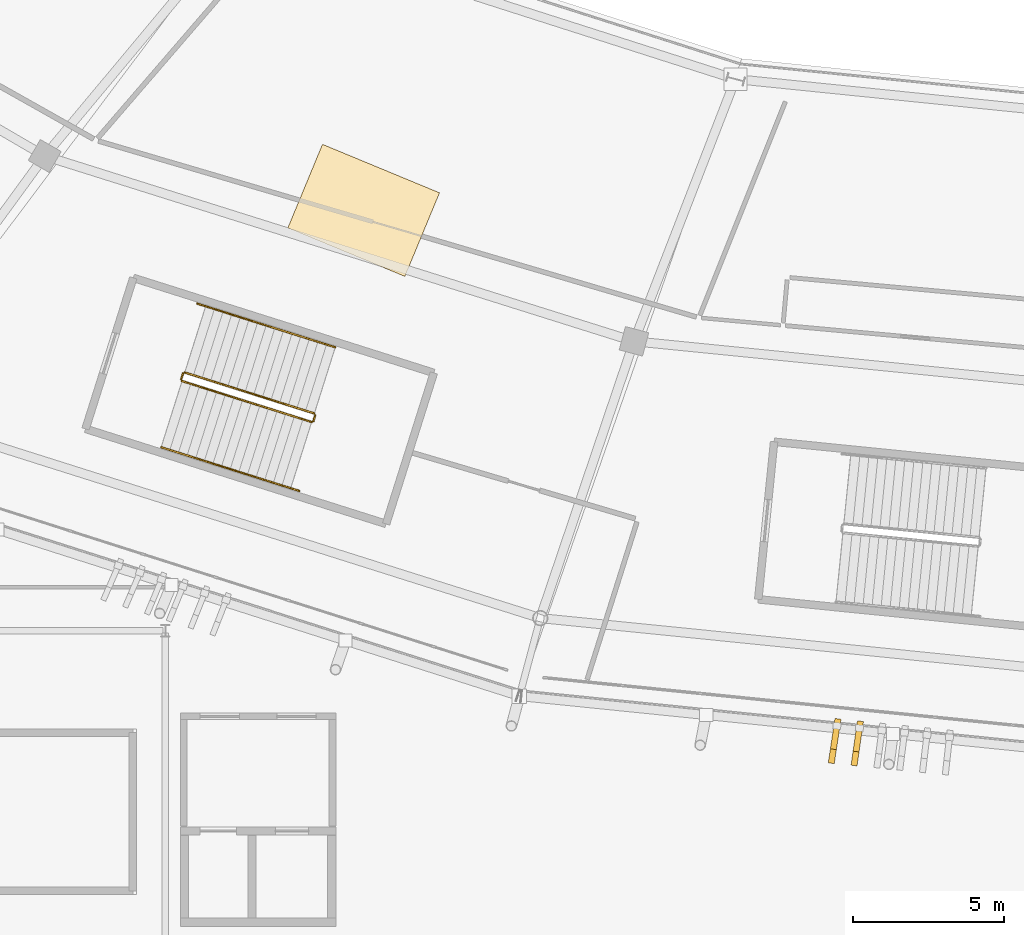
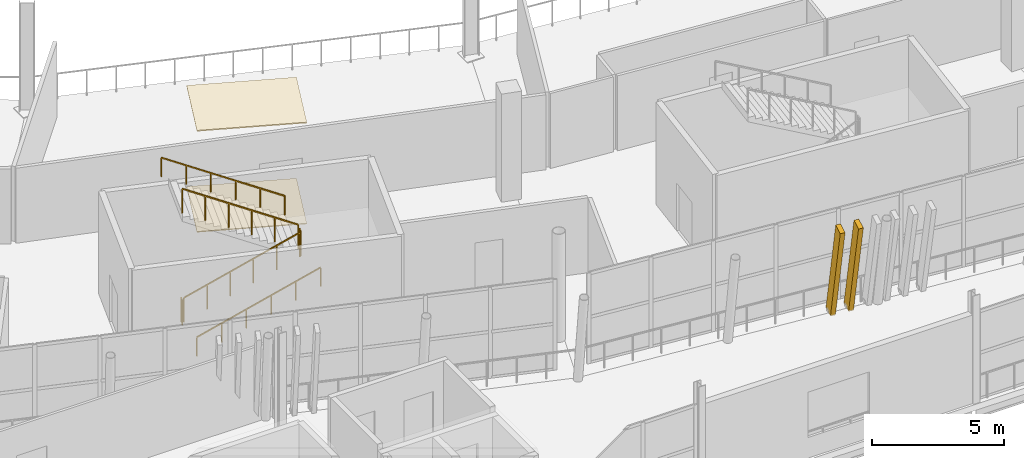
# One storey, part 149 of 179: 6 railings, 2 coverings, 2 shading devices.
"""IFC4 building model written with IfcOpenShell, lengths in metres."""

from ifc_helpers import new_model, si_unit, direction, frame, origin, origin_2d, place, context, subcontext, project, spatial, polyline, rectangle, outline, extrude, material, layer, layer_set, material_profile, profile_set, type_object, element, save


model = new_model("IFC4")

# Units and contexts
model_context = context("Model", 3, precision=1e-05, world=origin(), true_north=direction((0.0, 1.0)))
body_context = subcontext(model_context, "Body", "Model", "MODEL_VIEW")
ifc_project = project(units=[si_unit("LENGTHUNIT", "METRE"), si_unit("AREAUNIT", "SQUARE_METRE"), si_unit("VOLUMEUNIT", "CUBIC_METRE"), si_unit("PLANEANGLEUNIT", "RADIAN"), si_unit("MASSUNIT", "GRAM", prefix="KILO")], contexts=[model_context])

# Site, building, storey
site_placement = place(None, origin())
site = spatial("IfcSite", under=ifc_project, at=site_placement, CompositionType="ELEMENT")
building_placement = place(site_placement, origin())
building = spatial("IfcBuilding", under=site, at=building_placement, Name="Zlatoyarsky Gate Stadium", CompositionType="ELEMENT")
storey_placement = place(building_placement, frame((0.0, 0.0, 10.60009765625)))
storey = spatial("IfcBuildingStorey", under=building, at=storey_placement, Name="L02", CompositionType="ELEMENT", Elevation=10.60009765625)

# Railings
ifc_material_1 = material(Name="Powder-coated steel stair guardrail", Category="steel")
railing_type_1 = type_object("IfcRailingType", Name="PAINTED STEEL STAIR WELL GUARDRAIL 1150", PredefinedType="GUARDRAIL", material=ifc_material_1)
railing_1_placement = place(storey_placement, frame((75.05517578125, 19.2763671875, 0.15625)))
element("IfcRailing", 1, at=railing_1_placement, inside=storey, type_object=railing_type_1, Name="ST-09 L02 stair guard 1", PredefinedType="GUARDRAIL", context=body_context, shape_type="SweptSolid", body=[
    extrude(rectangle(XDim=0.048095703125, YDim=0.048095703125, at=origin_2d()), frame((0.0, 0.0, 1.1259765625), z_axis=(0.845641323457, -0.267396656109, 0.461941317013), x_axis=(0.301492268635, 0.953468621378, 0.0)), (0.0, 0.0, 1.0), 5.07373046875),
    extrude(rectangle(XDim=0.0419921875, YDim=0.0419921875, at=origin_2d()), origin(), (0.0, 0.0, 1.0), 1.101806640625),
    extrude(rectangle(XDim=0.0419921875, YDim=0.0419921875, at=origin_2d()), frame((0.858154296875, -0.271240234375, 0.46875)), (0.0, 0.0, 1.0), 1.101806640625),
    extrude(rectangle(XDim=0.0419921875, YDim=0.0419921875, at=origin_2d()), frame((1.71630859375, -0.542724609375, 0.9375)), (0.0, 0.0, 1.0), 1.101806640625),
    extrude(rectangle(XDim=0.0419921875, YDim=0.0419921875, at=origin_2d()), frame((2.57421875, -0.81396484375, 1.40625)), (0.0, 0.0, 1.0), 1.101806640625),
    extrude(rectangle(XDim=0.0419921875, YDim=0.0419921875, at=origin_2d()), frame((3.432373046875, -1.08544921875, 1.875)), (0.0, 0.0, 1.0), 1.101806640625),
    extrude(rectangle(XDim=0.0419921875, YDim=0.0419921875, at=origin_2d()), frame((4.29052734375, -1.356689453125, 2.34375)), (0.0, 0.0, 1.0), 1.101806640625),
])
railing_2_placement = place(storey_placement, frame((79.408447265625, 17.9521484375, 2.5)))
element("IfcRailing", 2, at=railing_2_placement, inside=storey, type_object=railing_type_1, Name="ST-09 L02 stair guard 2", PredefinedType="GUARDRAIL", context=body_context, shape_type="SweptSolid", body=[
    extrude(rectangle(XDim=0.048095703125, YDim=0.048095703125, at=origin_2d()), frame((0.0, 0.0, 1.1259765625), z_axis=(0.301540327315, 0.953453423615, 0.0), x_axis=(-0.953453423615, 0.301540327315, 0.0)), (0.0, 0.0, 1.0), 0.199951171875),
    extrude(rectangle(XDim=0.0419921875, YDim=0.0419921875, at=origin_2d()), origin(), (0.0, 0.0, 1.0), 1.101806640625),
    extrude(rectangle(XDim=0.0419921875, YDim=0.0419921875, at=origin_2d()), frame((0.060302734375, 0.190673828125, 0.0)), (0.0, 0.0, 1.0), 1.101806640625),
])
railing_3_placement = place(storey_placement, frame((79.436279296875, 18.20556640625, 2.65625)))
element("IfcRailing", 3, at=railing_3_placement, inside=storey, type_object=railing_type_1, Name="ST-09 L02 stair guard 3", PredefinedType="GUARDRAIL", context=body_context, shape_type="SweptSolid", body=[
    extrude(rectangle(XDim=0.048095703125, YDim=0.048095703125, at=origin_2d()), frame((0.0, 0.0, 1.1259765625), z_axis=(-0.845630441965, 0.267441333586, 0.461935372873), x_axis=(-0.301541590324, -0.953453024173, 0.0)), (0.0, 0.0, 1.0), 5.07373046875),
    extrude(rectangle(XDim=0.0419921875, YDim=0.0419921875, at=origin_2d()), origin(), (0.0, 0.0, 1.0), 1.101806640625),
    extrude(rectangle(XDim=0.0419921875, YDim=0.0419921875, at=origin_2d()), frame((-0.858154296875, 0.271484375, 0.46875)), (0.0, 0.0, 1.0), 1.101806640625),
    extrude(rectangle(XDim=0.0419921875, YDim=0.0419921875, at=origin_2d()), frame((-1.71630859375, 0.542724609375, 0.9375)), (0.0, 0.0, 1.0), 1.101806640625),
    extrude(rectangle(XDim=0.0419921875, YDim=0.0419921875, at=origin_2d()), frame((-2.57421875, 0.814208984375, 1.40625)), (0.0, 0.0, 1.0), 1.101806640625),
    extrude(rectangle(XDim=0.0419921875, YDim=0.0419921875, at=origin_2d()), frame((-3.432373046875, 1.08544921875, 1.875)), (0.0, 0.0, 1.0), 1.101806640625),
    extrude(rectangle(XDim=0.0419921875, YDim=0.0419921875, at=origin_2d()), frame((-4.29052734375, 1.35693359375, 2.34375)), (0.0, 0.0, 1.0), 1.101806640625),
])
railing_4_placement = place(storey_placement, frame((75.022705078125, 19.339111328125, 0.0)))
element("IfcRailing", 4, at=railing_4_placement, inside=storey, type_object=railing_type_1, Name="ST-09 L02 stair guard 4", PredefinedType="GUARDRAIL", context=body_context, shape_type="SweptSolid", body=[
    extrude(rectangle(XDim=0.048095703125, YDim=0.048095703125, at=origin_2d()), frame((0.0, 0.0, 1.1259765625), z_axis=(0.301540327315, 0.953453423615, 0.0), x_axis=(-0.953453423615, 0.301540327315, 0.0)), (0.0, 0.0, 1.0), 0.199951171875),
    extrude(rectangle(XDim=0.0419921875, YDim=0.0419921875, at=origin_2d()), origin(), (0.0, 0.0, 1.0), 1.101806640625),
    extrude(rectangle(XDim=0.0419921875, YDim=0.0419921875, at=origin_2d()), frame((0.060302734375, 0.190673828125, 0.0)), (0.0, 0.0, 1.0), 1.101806640625),
])

# Coverings
ifc_material_2 = material(Name="Perforated anodised aluminium acoustic ceiling", Category="aluminium")
ifc_layer_1 = layer(ifc_material_2, 0.050048828125)
ifc_layer_set_1 = layer_set([ifc_layer_1], Name="Perforated anodised aluminium acoustic ceiling")
covering_type_1 = type_object("IfcCoveringType", Name="PERFORATED ACOUSTIC BAFFLE CEILING 50", PredefinedType="CEILING", material=ifc_layer_set_1)
covering_1_placement = place(storey_placement, frame((0.0, 0.0, 4.669921875)))
element("IfcCovering", 5, at=covering_1_placement, inside=storey, type_object=covering_type_1, Name="L02 hospitality acoustic ceiling 06", PredefinedType="CEILING", context=body_context, shape_type="SweptSolid", body=[
    extrude(outline(polyline([(79.7080078125, 27.12646484375), (83.588134765625, 25.519287109375), (82.440185546875, 22.74755859375), (78.559814453125, 24.354736328125), (79.7080078125, 27.12646484375)])), origin(), (0.0, 0.0, 1.0), 0.050048828125),
])
ifc_material_3 = material(Name="Polished granite stone flooring", Category="masonry")
ifc_layer_2 = layer(ifc_material_3, 0.0400390625)
ifc_layer_set_2 = layer_set([ifc_layer_2], Name="Polished granite stone flooring")
covering_type_2 = type_object("IfcCoveringType", Name="POLISHED GRANITE CONCOURSE FLOORING 40", PredefinedType="FLOORING", material=ifc_layer_set_2)
covering_2_placement = place(storey_placement, origin())
element("IfcCovering", 6, at=covering_2_placement, inside=storey, type_object=covering_type_2, Name="L02 hospitality concourse granite flooring 06", PredefinedType="FLOORING", context=body_context, shape_type="SweptSolid", body=[
    extrude(outline(polyline([(79.7080078125, 27.12646484375), (83.588134765625, 25.519287109375), (82.440185546875, 22.74755859375), (78.559814453125, 24.354736328125), (79.7080078125, 27.12646484375)])), origin(), (0.0, 0.0, 1.0), 0.039794921875),
])

# Shading devices
ifc_material_4 = material(Name="Precast concrete C40/50 stone-toned architectural rib", Category="masonry")
ifc_material_profile = material_profile(ifc_material_4, rectangle(XDim=0.199951171875, YDim=0.47998046875, at=origin_2d()), Name="RIB 200X480")
ifc_profile_set = profile_set([ifc_material_profile], Name="Precast concrete C40/50 stone-toned architectural rib")
shading_device_type = type_object("IfcShadingDeviceType", Name="PRECAST FLUTED GATE LOUVRE BLADE 200X480", PredefinedType="SHUTTER", material=ifc_profile_set)
for number, where, z_axis, x_axis, name in (
    (7, (96.763671875, 7.846923828125, -0.010009765625), (-0.033320049533, -0.218998284094, 0.975156154604), (0.988622715282, -0.150416511158, 0.0), "Leaning bowl louvre fin L02-17-1"),
    (8, (97.509765625, 7.771484375, -0.010009765625), (-0.031513231593, -0.219264070072, 0.975156491959), (0.989829187358, -0.142260956884, 0.0), "Leaning bowl louvre fin L02-17-2"),
):
    element("IfcShadingDevice", number, at=place(storey_placement, frame(where, z_axis=z_axis, x_axis=x_axis)), inside=storey, type_object=shading_device_type, Name=name, PredefinedType="SHUTTER", context=body_context, shape_type="SweptSolid", body=[
        extrude(rectangle(XDim=0.199951171875, YDim=0.47998046875, at=origin_2d()), origin(), (0.0, 0.0, 1.0), 4.593994140625),
    ])

# Railings
ifc_material_5 = material(Name="Brushed stainless steel 316 handrail", Category="steel")
railing_type_2 = type_object("IfcRailingType", Name="STAINLESS STEEL TUBULAR HANDRAIL 900", PredefinedType="HANDRAIL", material=ifc_material_5)
railing_5_placement = place(storey_placement, frame((74.36181640625, 17.08349609375, 0.16015625)))
element("IfcRailing", 9, at=railing_5_placement, inside=storey, type_object=railing_type_2, Name="ST-09 L02 stair handrail 1", PredefinedType="HANDRAIL", context=body_context, shape_type="SweptSolid", body=[
    extrude(rectangle(XDim=0.048095703125, YDim=0.048095703125, at=origin_2d()), frame((0.0, 0.0, 0.8759765625), z_axis=(0.845641023653, -0.267414914553, 0.461931296395), x_axis=(0.301511080938, 0.953462672616, 0.0)), (0.0, 0.0, 1.0), 5.412109375),
    extrude(rectangle(XDim=0.0419921875, YDim=0.0419921875, at=origin_2d()), origin(), (0.0, 0.0, 1.0), 0.851806640625),
    extrude(rectangle(XDim=0.0419921875, YDim=0.0419921875, at=origin_2d()), frame((0.915283203125, -0.28955078125, 0.5)), (0.0, 0.0, 1.0), 0.851806640625),
    extrude(rectangle(XDim=0.0419921875, YDim=0.0419921875, at=origin_2d()), frame((1.83056640625, -0.578857421875, 1.0)), (0.0, 0.0, 1.0), 0.851806640625),
    extrude(rectangle(XDim=0.0419921875, YDim=0.0419921875, at=origin_2d()), frame((2.74609375, -0.868408203125, 1.5)), (0.0, 0.0, 1.0), 0.851806640625),
    extrude(rectangle(XDim=0.0419921875, YDim=0.0419921875, at=origin_2d()), frame((3.661376953125, -1.15771484375, 2.0)), (0.0, 0.0, 1.0), 0.851806640625),
    extrude(rectangle(XDim=0.0419921875, YDim=0.0419921875, at=origin_2d()), frame((4.57666015625, -1.447265625, 2.5)), (0.0, 0.0, 1.0), 0.851806640625),
])
railing_6_placement = place(storey_placement, frame((80.129638671875, 20.398681640625, 2.66015625)))
element("IfcRailing", 10, at=railing_6_placement, inside=storey, type_object=railing_type_2, Name="ST-09 L02 stair handrail 2", PredefinedType="HANDRAIL", context=body_context, shape_type="SweptSolid", body=[
    extrude(rectangle(XDim=0.048095703125, YDim=0.048095703125, at=origin_2d()), frame((0.0, 0.0, 0.8759765625), z_axis=(-0.845628171337, 0.267425116014, 0.461948918351), x_axis=(-0.301525703453, -0.953458048452, 0.0)), (0.0, 0.0, 1.0), 5.411865234375),
    extrude(rectangle(XDim=0.0419921875, YDim=0.0419921875, at=origin_2d()), origin(), (0.0, 0.0, 1.0), 0.851806640625),
    extrude(rectangle(XDim=0.0419921875, YDim=0.0419921875, at=origin_2d()), frame((-0.915283203125, 0.28955078125, 0.5)), (0.0, 0.0, 1.0), 0.851806640625),
    extrude(rectangle(XDim=0.0419921875, YDim=0.0419921875, at=origin_2d()), frame((-1.83056640625, 0.578857421875, 1.0)), (0.0, 0.0, 1.0), 0.851806640625),
    extrude(rectangle(XDim=0.0419921875, YDim=0.0419921875, at=origin_2d()), frame((-2.745849609375, 0.868408203125, 1.5)), (0.0, 0.0, 1.0), 0.851806640625),
    extrude(rectangle(XDim=0.0419921875, YDim=0.0419921875, at=origin_2d()), frame((-3.6611328125, 1.15771484375, 2.0)), (0.0, 0.0, 1.0), 0.851806640625),
    extrude(rectangle(XDim=0.0419921875, YDim=0.0419921875, at=origin_2d()), frame((-4.576416015625, 1.447265625, 2.5)), (0.0, 0.0, 1.0), 0.851806640625),
])

save(model, "model.ifc")
